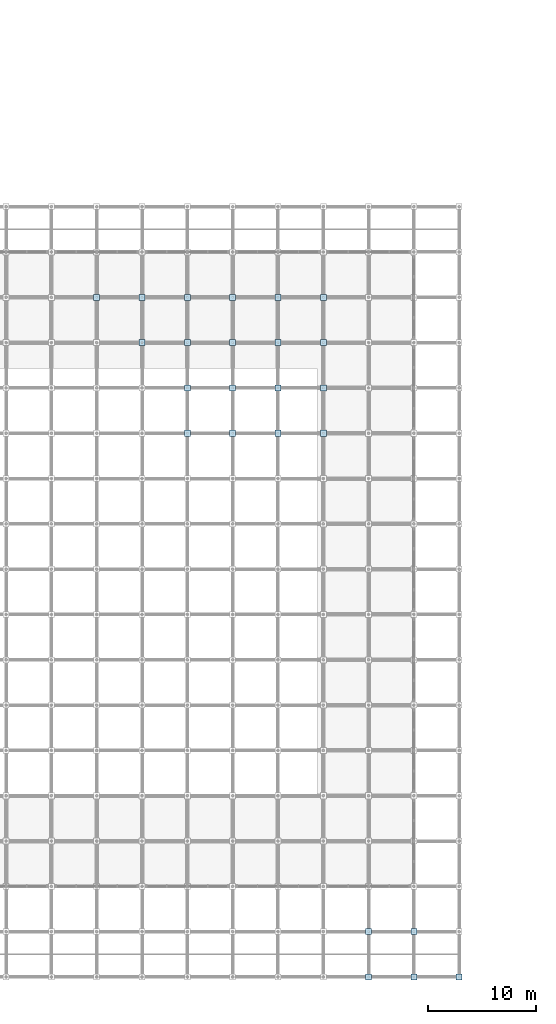
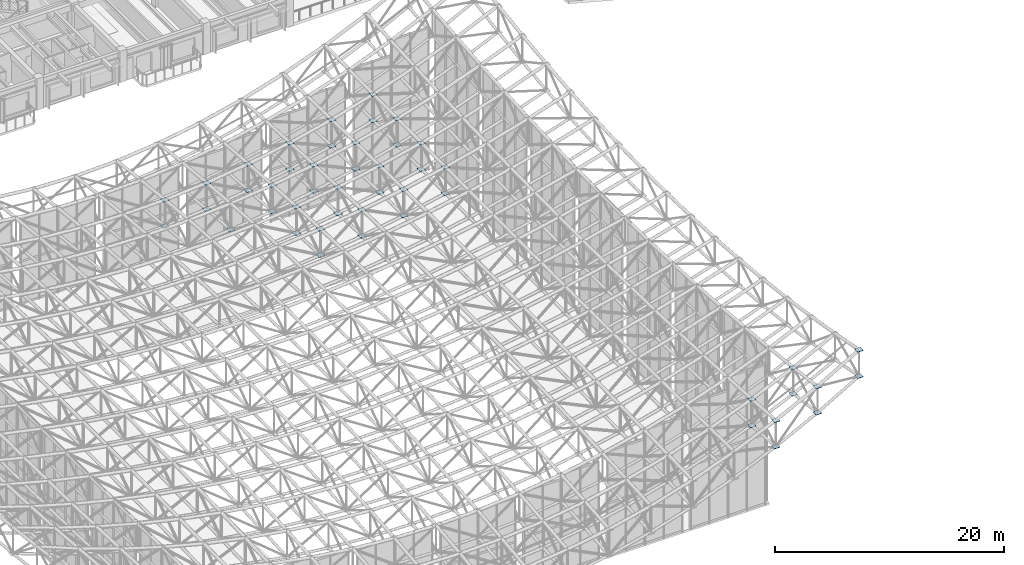
# One storey, part 69 of 93: 47 plates.
"""IFC4 building model written with IfcOpenShell, lengths in metres."""

from ifc_helpers import new_model, si_unit, direction, frame, origin, origin_2d, place, context, subcontext, project, spatial, rectangle, extrude, material, layer, layer_set, type_object, element, save


model = new_model("IFC4")

# Units and contexts
model_context = context("Model", 3, precision=1e-05, world=origin(), true_north=direction((0.0, 1.0)))
body_context = subcontext(model_context, "Body", "Model", "MODEL_VIEW")
ifc_project = project(units=[si_unit("LENGTHUNIT", "METRE"), si_unit("AREAUNIT", "SQUARE_METRE"), si_unit("VOLUMEUNIT", "CUBIC_METRE"), si_unit("PLANEANGLEUNIT", "RADIAN"), si_unit("MASSUNIT", "GRAM", prefix="KILO")], contexts=[model_context])

# Site, building, storey
site_placement = place(None, origin())
site = spatial("IfcSite", under=ifc_project, at=site_placement, CompositionType="ELEMENT")
building_placement = place(site_placement, origin())
building = spatial("IfcBuilding", under=site, at=building_placement, Name="Cumbredor Promenade Congress Hotel", CompositionType="ELEMENT")
storey_placement = place(building_placement, frame((0.0, 0.0, 21.840087890625)))
storey = spatial("IfcBuildingStorey", under=building, at=storey_placement, Name="L06", CompositionType="ELEMENT", Elevation=21.840087890625)

# Plates
ifc_material = material(Name="Steel ASTM A572 Grade 50", Category="steel")
ifc_layer = layer(ifc_material, 0.035888671875, Name="Steel ASTM A572 Grade 50", Category="steel")
ifc_layer_set = layer_set([ifc_layer], Name="Steel ASTM A572 Grade 50")
plate_type = type_object("IfcPlateType", Name="Space Frame Node Assembly ND-01", PredefinedType="USERDEFINED", material=ifc_layer_set)
for number, where, z_axis, x_axis, name in (
    (1, (37.800048828125, 63.0, 9.42822265625), (0.0, 0.0, 1.0), (1.0, 0.0, 0.0), "Plenary Congress Hall Space Frame Top Node 11.16"),
    (2, (37.800048828125, 63.0, 6.6279296875), (0.0, 0.0, 1.0), (1.0, 0.0, 0.0), "Plenary Congress Hall Space Frame Bottom Node 11.16"),
    (3, (42.0, 58.800048828125, 7.31201171875), (0.0, 0.0, 1.0), (1.0, 0.0, 0.0), "Plenary Congress Hall Space Frame Bottom Node 12.15"),
    (4, (42.0, 63.0, 9.76220703125), (0.0, 0.0, 1.0), (1.0, 0.0, 0.0), "Plenary Congress Hall Space Frame Top Node 12.16"),
    (5, (42.0, 63.0, 6.96240234375), (0.0, 0.0, 1.0), (1.0, 0.0, 0.0), "Plenary Congress Hall Space Frame Bottom Node 12.16"),
    (6, (46.199951171875, 50.39990234375, 11.0380859375), (0.0, 0.0, 1.0), (1.0, 0.0, 0.0), "Plenary Congress Hall Space Frame Top Node 13.13"),
    (7, (46.199951171875, 50.39990234375, 8.23828125), (0.0, 0.0, 1.0), (1.0, 0.0, 0.0), "Plenary Congress Hall Space Frame Bottom Node 13.13"),
    (8, (46.199951171875, 54.60009765625, 10.8466796875), (0.0, 0.0, 1.0), (1.0, 0.0, 0.0), "Plenary Congress Hall Space Frame Top Node 13.14"),
    (9, (46.199951171875, 54.60009765625, 8.046875), (0.0, 0.0, 1.0), (1.0, 0.0, 0.0), "Plenary Congress Hall Space Frame Bottom Node 13.14"),
    (10, (46.199951171875, 58.800048828125, 10.60693359375), (0.0, 0.0, 1.0), (1.0, 0.0, 0.0), "Plenary Congress Hall Space Frame Top Node 13.15"),
    (11, (46.199951171875, 58.800048828125, 7.80712890625), (0.0, 0.0, 1.0), (1.0, 0.0, 0.0), "Plenary Congress Hall Space Frame Bottom Node 13.15"),
    (12, (46.199951171875, 63.0, 10.31982421875), (0.0, 0.0, 1.0), (1.0, 0.0, 0.0), "Plenary Congress Hall Space Frame Top Node 13.16"),
    (13, (46.199951171875, 63.0, 7.51953125), (0.0, 0.0, 1.0), (1.0, 0.0, 0.0), "Plenary Congress Hall Space Frame Bottom Node 13.16"),
    (14, (50.39990234375, 50.39990234375, 11.60107421875), (0.0, 0.0, 1.0), (1.0, 0.0, 0.0), "Plenary Congress Hall Space Frame Top Node 14.13"),
    (15, (50.39990234375, 50.39990234375, 8.80126953125), (0.0, 0.0, 1.0), (1.0, 0.0, 0.0), "Plenary Congress Hall Space Frame Bottom Node 14.13"),
    (16, (50.39990234375, 54.60009765625, 11.4677734375), (0.0, 0.0, 1.0), (1.0, 0.0, 0.0), "Plenary Congress Hall Space Frame Top Node 14.14"),
    (17, (50.39990234375, 54.60009765625, 8.66748046875), (0.0, 0.0, 1.0), (1.0, 0.0, 0.0), "Plenary Congress Hall Space Frame Bottom Node 14.14"),
    (18, (50.39990234375, 58.800048828125, 11.30078125), (0.0, 0.0, 1.0), (1.0, 0.0, 0.0), "Plenary Congress Hall Space Frame Top Node 14.15"),
    (19, (50.39990234375, 58.800048828125, 8.50048828125), (0.0, 0.0, 1.0), (1.0, 0.0, 0.0), "Plenary Congress Hall Space Frame Bottom Node 14.15"),
    (20, (50.39990234375, 63.0, 11.10009765625), (0.0, 0.0, 1.0), (1.0, 0.0, 0.0), "Plenary Congress Hall Space Frame Top Node 14.16"),
    (21, (50.39990234375, 63.0, 8.30029296875), (0.0, 0.0, 1.0), (1.0, 0.0, 0.0), "Plenary Congress Hall Space Frame Bottom Node 14.16"),
    (22, (54.60009765625, 50.39990234375, 12.3251953125), (0.0, 0.0, 1.0), (1.0, 0.0, 0.0), "Plenary Congress Hall Space Frame Top Node 15.13"),
    (23, (54.60009765625, 50.39990234375, 9.52490234375), (0.0, 0.0, 1.0), (1.0, 0.0, 0.0), "Plenary Congress Hall Space Frame Bottom Node 15.13"),
    (24, (54.60009765625, 54.60009765625, 12.26611328125), (0.0, 0.0, 1.0), (1.0, 0.0, 0.0), "Plenary Congress Hall Space Frame Top Node 15.14"),
    (25, (54.60009765625, 54.60009765625, 9.46630859375), (0.0, 0.0, 1.0), (1.0, 0.0, 0.0), "Plenary Congress Hall Space Frame Bottom Node 15.14"),
    (26, (54.60009765625, 58.800048828125, 12.1923828125), (0.0, 0.0, 1.0), (1.0, 0.0, 0.0), "Plenary Congress Hall Space Frame Top Node 15.15"),
    (27, (54.60009765625, 58.800048828125, 9.392578125), (0.0, 0.0, 1.0), (1.0, 0.0, 0.0), "Plenary Congress Hall Space Frame Bottom Node 15.15"),
    (28, (54.60009765625, 63.0, 12.103515625), (0.0, 0.0, 1.0), (1.0, 0.0, 0.0), "Plenary Congress Hall Space Frame Top Node 15.16"),
    (29, (54.60009765625, 63.0, 9.3037109375), (0.0, 0.0, 1.0), (1.0, 0.0, 0.0), "Plenary Congress Hall Space Frame Bottom Node 15.16"),
    (30, (58.800048828125, 50.39990234375, 13.2099609375), (0.0, 0.0, 1.0), (1.0, 0.0, 0.0), "Plenary Congress Hall Space Frame Top Node 16.13"),
    (31, (58.800048828125, 50.39990234375, 10.41015625), (0.0, 0.0, 1.0), (1.0, 0.0, 0.0), "Plenary Congress Hall Space Frame Bottom Node 16.13"),
    (32, (58.800048828125, 54.60009765625, 13.2421875), (0.0, 0.0, 1.0), (1.0, 0.0, 0.0), "Plenary Congress Hall Space Frame Top Node 16.14"),
    (33, (58.800048828125, 54.60009765625, 10.44189453125), (0.0, 0.0, 1.0), (1.0, 0.0, 0.0), "Plenary Congress Hall Space Frame Bottom Node 16.14"),
    (34, (58.800048828125, 58.800048828125, 13.2822265625), (0.0, 0.0, 1.0), (1.0, 0.0, 0.0), "Plenary Congress Hall Space Frame Top Node 16.15"),
    (35, (58.800048828125, 58.800048828125, 10.48193359375), (0.0, 0.0, 1.0), (1.0, 0.0, 0.0), "Plenary Congress Hall Space Frame Bottom Node 16.15"),
    (36, (58.800048828125, 63.0, 13.330078125), (0.0, 0.0, 1.0), (1.0, 0.0, 0.0), "Plenary Congress Hall Space Frame Top Node 16.16"),
    (37, (58.800048828125, 63.0, 10.52978515625), (0.0, 0.0, 1.0), (1.0, 0.0, 0.0), "Plenary Congress Hall Space Frame Bottom Node 16.16"),
    (38, (63.0, 0.0, 15.30810546875), (0.0, 0.0, 1.0), (1.0, 0.0, 0.0), "Plenary Congress Hall Space Frame Top Node 17.1"),
    (39, (63.0, 0.0, 12.5078125), (0.0, 0.0, 1.0), (1.0, 0.0, 0.0), "Plenary Congress Hall Space Frame Bottom Node 17.1"),
    (40, (63.0, 4.199951171875, 15.0224609375), (0.0, 0.0, 1.0), (1.0, 0.0, 0.0), "Plenary Congress Hall Space Frame Top Node 17.2"),
    (41, (63.0, 4.199951171875, 12.22216796875), (0.0, 0.0, 1.0), (1.0, 0.0, 0.0), "Plenary Congress Hall Space Frame Bottom Node 17.2"),
    (42, (67.199951171875, 0.0, 17.44677734375), (0.0, 0.0, 1.0), (1.0, 0.0, 0.0), "Plenary Congress Hall Space Frame Top Node 18.1"),
    (43, (67.199951171875, 0.0, 14.646484375), (0.0, 0.0, 1.0), (1.0, 0.0, 0.0), "Plenary Congress Hall Space Frame Bottom Node 18.1"),
    (44, (67.199951171875, 4.199951171875, 16.91064453125), (0.0, 0.0, 1.0), (1.0, 0.0, 0.0), "Plenary Congress Hall Space Frame Top Node 18.2"),
    (45, (67.199951171875, 4.199951171875, 14.11083984375), (0.0, 0.0, 1.0), (1.0, 0.0, 0.0), "Plenary Congress Hall Space Frame Bottom Node 18.2"),
    (46, (71.39990234375, 0.0, 19.88134765625), (0.0, 0.0, 1.0), (1.0, 0.0, 0.0), "Plenary Congress Hall Space Frame Top Node 19.1"),
    (47, (71.39990234375, 0.0, 17.08154296875), (0.0, 0.0, 1.0), (1.0, 0.0, 0.0), "Plenary Congress Hall Space Frame Bottom Node 19.1"),
):
    element("IfcPlate", number, at=place(storey_placement, frame(where, z_axis=z_axis, x_axis=x_axis)), inside=storey, type_object=plate_type, Name=name, ObjectType="GUSSET PLATE", PredefinedType="USERDEFINED", context=body_context, shape_type="SweptSolid", body=[
        extrude(rectangle(XDim=0.56005859375, YDim=0.56005859375, at=origin_2d()), origin(), (0.0, 0.0, 1.0), 0.035888671875),
    ])

save(model, "model.ifc")
